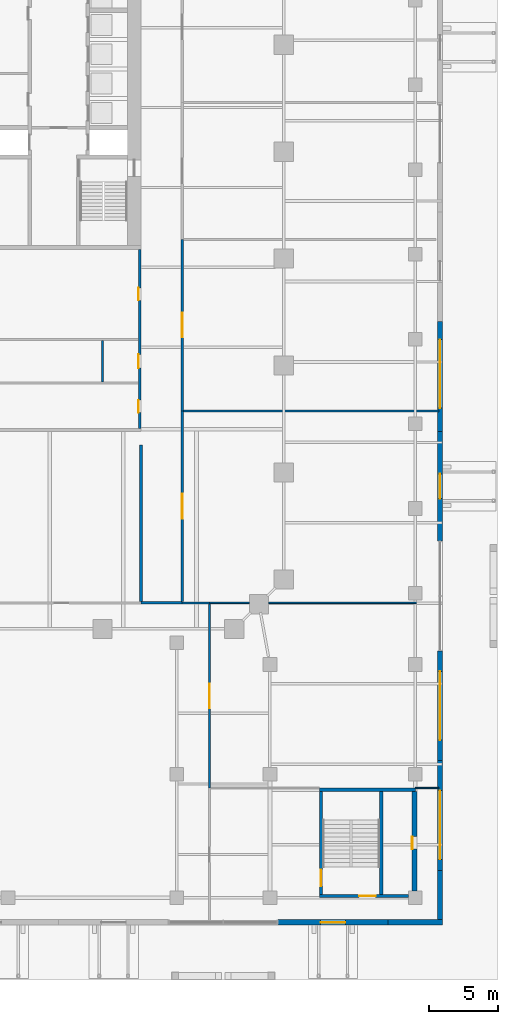
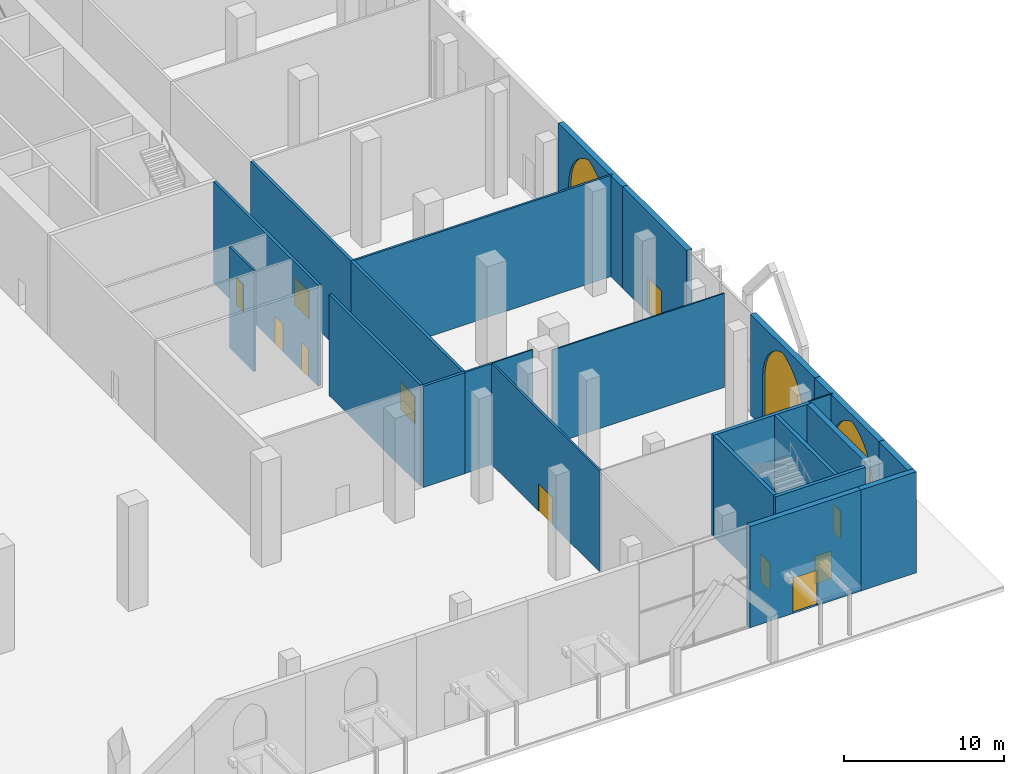
# One storey, part 30 of 38: 24 walls, 11 doors, 3 windows, 14 openings.
"""IFC4 building model written with IfcOpenShell, lengths in metres."""

from ifc_helpers import new_model, si_unit, direction, frame, frame_2d, origin, place, context, subcontext, project, spatial, polyline, rectangle, outline, extrude, material, layer, layer_set, type_object, element, fill, save


model = new_model("IFC4")

# Units and contexts
model_context = context("Model", 3, precision=1e-05, world=origin(), true_north=direction((0.0, 1.0)))
body_context = subcontext(model_context, "Body", "Model", "MODEL_VIEW")
ifc_project = project(units=[si_unit("LENGTHUNIT", "METRE"), si_unit("AREAUNIT", "SQUARE_METRE"), si_unit("VOLUMEUNIT", "CUBIC_METRE"), si_unit("PLANEANGLEUNIT", "RADIAN"), si_unit("MASSUNIT", "GRAM", prefix="KILO")], contexts=[model_context])

# Site, building, storey
site_placement = place(None, origin())
site = spatial("IfcSite", under=ifc_project, at=site_placement, CompositionType="ELEMENT")
building_placement = place(site_placement, origin())
building = spatial("IfcBuilding", under=site, at=building_placement, Name="Ogive Exchange Tower", CompositionType="ELEMENT")
storey_placement = place(building_placement, origin())
storey = spatial("IfcBuildingStorey", under=building, at=storey_placement, Name="L00", CompositionType="ELEMENT", Elevation=0.0)

# Walls
ifc_material_1 = material(Name="Gypsum board partition")
ifc_layer_1 = layer(ifc_material_1, 0.14990234375)
ifc_layer_set_1 = layer_set([ifc_layer_1], Name="Core room partition 150 gypsum")
wall_type_1 = type_object("IfcWallType", Name="Core room partition 150 gypsum", PredefinedType="PARTITIONING", material=ifc_layer_set_1)
wall_1_placement = place(storey_placement, frame((19.199951171875, -12.39990234375, 0.0), z_axis=(0.0, 0.0, 1.0), x_axis=(0.0, 1.0, 0.0)))
element("IfcWall", 1, at=wall_1_placement, inside=storey, type_object=wall_type_1, Name="E annex S wc partition 00", PredefinedType="PARTITIONING", context=body_context, shape_type="SweptSolid", body=[
    extrude(rectangle(XDim=3.02490234375, YDim=0.14990234375, at=frame_2d((1.512451171875, 0.0))), origin(), (0.0, 0.0, 1.0), 7.699951171875),
])
ifc_material_2 = material(Name="Fire partition EI 60 150")
ifc_layer_2 = layer(ifc_material_2, 0.14990234375)
ifc_layer_set_2 = layer_set([ifc_layer_2], Name="Fire partition EI 60 150")
wall_type_2 = type_object("IfcWallType", Name="Fire partition EI 60 150", PredefinedType="PARTITIONING", material=ifc_layer_set_2)
wall_2_placement = place(storey_placement, frame((25.0, -28.5, 0.0), z_axis=(0.0, 0.0, 1.0), x_axis=(1.0, 0.0, 0.0)))
element("IfcWall", 2, at=wall_2_placement, inside=storey, type_object=wall_type_2, Name="L00-PWL-012", PredefinedType="PARTITIONING", context=body_context, shape_type="SweptSolid", body=[
    extrude(rectangle(XDim=2.0, YDim=0.14990234375, at=frame_2d((1.0, 0.0))), origin(), (0.0, 0.0, 1.0), 7.699951171875),
])
wall_3_placement = place(storey_placement, frame((25.10009765625, -14.5, 0.0), z_axis=(0.0, 0.0, 1.0), x_axis=(1.0, 0.0, 0.0)))
element("IfcWall", 3, at=wall_3_placement, inside=storey, type_object=wall_type_2, Name="L00-PWL-015", PredefinedType="PARTITIONING", context=body_context, shape_type="SweptSolid", body=[
    extrude(rectangle(XDim=18.619873046875, YDim=0.14990234375, at=frame_2d((9.31005859375, 0.0))), origin(), (0.0, 0.0, 1.0), 7.699951171875),
])

# Wall, opening, door
wall_4_placement = place(storey_placement, frame((27.0, -42.0, 0.0), z_axis=(0.0, 0.0, 1.0), x_axis=(0.0, 1.0, 0.0)))
wall_4 = element("IfcWall", 4, at=wall_4_placement, inside=storey, type_object=wall_type_2, Name="L00-PWL-049", PredefinedType="PARTITIONING", context=body_context, shape_type="SweptSolid", body=[
    extrude(rectangle(XDim=13.425048828125, YDim=0.14990234375, at=frame_2d((6.71240234375, 0.0))), origin(), (0.0, 0.0, 1.0), 7.699951171875),
])
opening_1_placement = place(wall_4_placement, frame((5.8125, 0.0, 0.0)))
opening_1 = element("IfcOpeningElement", 5, at=opening_1_placement, cuts=wall_4, Name="Opening L00-I20", PredefinedType="OPENING", context=body_context, shape_type="SweptSolid", body=[
    extrude(rectangle(XDim=1.800048828125, YDim=2.10009765625, at=frame_2d((0.89990234375, 1.050048828125))), frame((0.0, 0.0849609375, 0.0), z_axis=(0.0, -1.0, 0.0), x_axis=(1.0, 0.0, 0.0)), (0.0, 0.0, 1.0), 0.169921875),
])
ifc_material_3 = material(Name="Fire door FD 30S 1800 x 2100")
door_type_1 = type_object("IfcDoorType", Name="Fire door FD 30S 1800 x 2100", OperationType="DOUBLE_DOOR_SINGLE_SWING", PredefinedType="DOOR", material=ifc_material_3)
door_1_placement = place(opening_1_placement, frame((1.800048828125, 0.0, 0.0), z_axis=(0.0, 0.0, 1.0), x_axis=(-1.0, 0.0, 0.0)))
door_1 = element("IfcDoor", 6, at=door_1_placement, inside=storey, type_object=door_type_1, Name="L00-IDR-020", ObjectType="DT4", OperationType="SINGLE_SWING_RIGHT", OverallHeight=2.10009765625, OverallWidth=1.800048828125, PredefinedType="DOOR", context=body_context, shape_type="SweptSolid", body=[
    extrude(rectangle(XDim=1.800048828125, YDim=2.10009765625, at=frame_2d((0.89990234375, 1.050048828125))), frame((0.0, 0.02490234375, 0.0), z_axis=(0.0, -1.0, 0.0), x_axis=(1.0, 0.0, 0.0)), (0.0, 0.0, 1.0), 0.050048828125),
])
fill(opening_1, door_1)

ifc_material_4 = material(Name="Precast concrete C40/50", Category="concrete")
ifc_layer_3 = layer(ifc_material_4, 0.39990234375)
ifc_layer_set_3 = layer_set([ifc_layer_3], Name="Limestone-faced wall 400")
wall_type_3 = type_object("IfcWallType", Name="Limestone-faced wall 400", PredefinedType="STANDARD", material=ifc_layer_set_3)
wall_5_placement = place(storey_placement, frame((32.0, -51.800048828125, 0.0), z_axis=(0.0, 0.0, 1.0), x_axis=(1.0, 0.0, 0.0)))
wall_5 = element("IfcWall", 7, at=wall_5_placement, inside=storey, type_object=wall_type_3, Name="Podium wall S11", PredefinedType="STANDARD", context=body_context, shape_type="SweptSolid", body=[
    extrude(rectangle(XDim=8.0, YDim=0.39990234375, at=frame_2d((4.0, 0.0))), origin(), (0.0, 0.0, 1.0), 7.699951171875),
])
opening_2_placement = place(wall_5_placement, frame((3.10009765625, 0.0, 0.0)))
opening_2 = element("IfcOpeningElement", 8, at=opening_2_placement, cuts=wall_5, Name="Opening L00-E08", PredefinedType="OPENING", context=body_context, shape_type="SweptSolid", body=[
    extrude(rectangle(XDim=1.800048828125, YDim=2.699951171875, at=frame_2d((0.89990234375, 1.35009765625))), frame((0.0, 0.2099609375, 0.0), z_axis=(0.0, -1.0, 0.0), x_axis=(1.0, 0.0, 0.0)), (0.0, 0.0, 1.0), 0.419921875),
])
ifc_material_5 = material(Name="Steel and glass", Category="steel")
door_type_2 = type_object("IfcDoorType", Name="Exit door 1800 x 2700", OperationType="DOUBLE_DOOR_SINGLE_SWING", PredefinedType="DOOR", material=ifc_material_5)
door_2_placement = place(opening_2_placement, frame((1.800048828125, 0.0, 0.0), z_axis=(0.0, 0.0, 1.0), x_axis=(-1.0, 0.0, 0.0)))
door_2 = element("IfcDoor", 9, at=door_2_placement, inside=storey, type_object=door_type_2, Name="Exit door X8", ObjectType="XD1", OperationType="DOUBLE_DOOR_SINGLE_SWING", OverallHeight=2.699951171875, OverallWidth=1.800048828125, PredefinedType="DOOR", context=body_context, shape_type="SweptSolid", body=[
    extrude(rectangle(XDim=1.800048828125, YDim=2.699951171875, at=frame_2d((0.89990234375, 1.35009765625))), frame((0.0, 0.02490234375, 0.0), z_axis=(0.0, -1.0, 0.0), x_axis=(1.0, 0.0, 0.0)), (0.0, 0.0, 1.0), 0.050048828125),
])
fill(opening_2, door_2)

# Walls
wall_6_placement = place(storey_placement, frame((40.0, -51.800048828125, 0.0), z_axis=(0.0, 0.0, 1.0), x_axis=(1.0, 0.0, 0.0)))
element("IfcWall", 10, at=wall_6_placement, inside=storey, type_object=wall_type_3, Name="Podium wall S12", PredefinedType="STANDARD", context=body_context, shape_type="SweptSolid", body=[
    extrude(rectangle(XDim=4.0, YDim=0.39990234375, at=frame_2d((2.0, 0.0))), origin(), (0.0, 0.0, 1.0), 7.699951171875),
])
wall_7_placement = place(storey_placement, frame((43.800048828125, -51.60009765625, 0.0), z_axis=(0.0, 0.0, 1.0), x_axis=(0.0, 1.0, 0.0)))
element("IfcWall", 11, at=wall_7_placement, inside=storey, type_object=wall_type_3, Name="Podium wall E1", PredefinedType="STANDARD", context=body_context, shape_type="SweptSolid", body=[
    extrude(rectangle(XDim=3.60009765625, YDim=0.39990234375, at=frame_2d((1.800048828125, 0.0))), origin(), (0.0, 0.0, 1.0), 7.699951171875),
])

# Wall, opening, window
wall_8_placement = place(storey_placement, frame((43.800048828125, -48.0, 0.0), z_axis=(0.0, 0.0, 1.0), x_axis=(0.0, 1.0, 0.0)))
wall_8 = element("IfcWall", 12, at=wall_8_placement, inside=storey, type_object=wall_type_3, Name="Podium wall E2", PredefinedType="STANDARD", context=body_context, shape_type="SweptSolid", body=[
    extrude(rectangle(XDim=8.0, YDim=0.39990234375, at=frame_2d((4.0, 0.0))), origin(), (0.0, 0.0, 1.0), 7.699951171875),
])
opening_3_placement = place(wall_8_placement, frame((0.800048828125, 0.0, 0.5)))
opening_3 = element("IfcOpeningElement", 13, at=opening_3_placement, cuts=wall_8, Name="Opening WA500", PredefinedType="OPENING", context=body_context, shape_type="SweptSolid", body=[
    extrude(outline(polyline([(0.0, 0.0), (5.0, 0.0), (5.0, 3.349853515625), (4.955322265625, 3.907470703125), (4.822021484375, 4.450927734375), (4.603759765625, 4.966064453125), (4.30615234375, 5.43994140625), (3.936767578125, 5.860107421875), (3.5048828125, 6.2158203125), (3.02197265625, 6.498291015625), (2.5, 6.699951171875), (1.97802734375, 6.498291015625), (1.4951171875, 6.2158203125), (1.063232421875, 5.860107421875), (0.69384765625, 5.43994140625), (0.396240234375, 4.966064453125), (0.177978515625, 4.450927734375), (0.044677734375, 3.907470703125), (0.0, 3.349853515625), (0.0, 0.0)])), frame((0.0, 0.2099609375, 0.0), z_axis=(0.0, -1.0, 0.0), x_axis=(1.0, 0.0, 0.0)), (0.0, 0.0, 1.0), 0.419921875),
])
ifc_material_6 = material(Name="Clear glass in bronze frame", Category="glass")
window_type = type_object("IfcWindowType", Name="Arcade lancet 5000 x 6700", PartitioningType="DOUBLE_PANEL_VERTICAL", PredefinedType="WINDOW", material=ifc_material_6)
window_1_placement = place(opening_3_placement, origin())
window_1 = element("IfcWindow", 14, at=window_1_placement, inside=storey, type_object=window_type, Name="Arcade lancet E2", OverallHeight=6.699951171875, OverallWidth=5.0, PartitioningType="DOUBLE_PANEL_VERTICAL", PredefinedType="WINDOW", context=body_context, shape_type="SweptSolid", body=[
    extrude(outline(polyline([(0.0, 0.0), (5.0, 0.0), (5.0, 3.349853515625), (4.955322265625, 3.907470703125), (4.822021484375, 4.450927734375), (4.603759765625, 4.966064453125), (4.30615234375, 5.43994140625), (3.936767578125, 5.860107421875), (3.5048828125, 6.2158203125), (3.02197265625, 6.498291015625), (2.5, 6.699951171875), (1.97802734375, 6.498291015625), (1.4951171875, 6.2158203125), (1.063232421875, 5.860107421875), (0.69384765625, 5.43994140625), (0.396240234375, 4.966064453125), (0.177978515625, 4.450927734375), (0.044677734375, 3.907470703125), (0.0, 3.349853515625), (0.0, 0.0)])), frame((0.0, 0.030029296875, 0.0), z_axis=(0.0, -1.0, 0.0), x_axis=(1.0, 0.0, 0.0)), (0.0, 0.0, 1.0), 0.06005859375),
])
fill(opening_3, window_1)

wall_9_placement = place(storey_placement, frame((43.800048828125, -40.0, 0.0), z_axis=(0.0, 0.0, 1.0), x_axis=(0.0, 1.0, 0.0)))
wall_9 = element("IfcWall", 15, at=wall_9_placement, inside=storey, type_object=wall_type_3, Name="Podium wall E3", PredefinedType="STANDARD", context=body_context, shape_type="SweptSolid", body=[
    extrude(rectangle(XDim=8.0, YDim=0.39990234375, at=frame_2d((4.0, 0.0))), origin(), (0.0, 0.0, 1.0), 7.699951171875),
])
opening_4_placement = place(wall_9_placement, frame((1.5, 0.0, 0.5)))
opening_4 = element("IfcOpeningElement", 16, at=opening_4_placement, cuts=wall_9, Name="Opening WA500", PredefinedType="OPENING", context=body_context, shape_type="SweptSolid", body=[
    extrude(outline(polyline([(0.0, 0.0), (5.0, 0.0), (5.0, 3.349853515625), (4.955322265625, 3.907470703125), (4.822021484375, 4.450927734375), (4.603759765625, 4.966064453125), (4.30615234375, 5.43994140625), (3.936767578125, 5.860107421875), (3.5048828125, 6.2158203125), (3.02197265625, 6.498291015625), (2.5, 6.699951171875), (1.97802734375, 6.498291015625), (1.4951171875, 6.2158203125), (1.063232421875, 5.860107421875), (0.69384765625, 5.43994140625), (0.396240234375, 4.966064453125), (0.177978515625, 4.450927734375), (0.044677734375, 3.907470703125), (0.0, 3.349853515625), (0.0, 0.0)])), frame((0.0, 0.2099609375, 0.0), z_axis=(0.0, -1.0, 0.0), x_axis=(1.0, 0.0, 0.0)), (0.0, 0.0, 1.0), 0.419921875),
])
window_2_placement = place(opening_4_placement, origin())
window_2 = element("IfcWindow", 17, at=window_2_placement, inside=storey, type_object=window_type, Name="Arcade lancet E3", OverallHeight=6.699951171875, OverallWidth=5.0, PartitioningType="DOUBLE_PANEL_VERTICAL", PredefinedType="WINDOW", context=body_context, shape_type="SweptSolid", body=[
    extrude(outline(polyline([(0.0, 0.0), (5.0, 0.0), (5.0, 3.349853515625), (4.955322265625, 3.907470703125), (4.822021484375, 4.450927734375), (4.603759765625, 4.966064453125), (4.30615234375, 5.43994140625), (3.936767578125, 5.860107421875), (3.5048828125, 6.2158203125), (3.02197265625, 6.498291015625), (2.5, 6.699951171875), (1.97802734375, 6.498291015625), (1.4951171875, 6.2158203125), (1.063232421875, 5.860107421875), (0.69384765625, 5.43994140625), (0.396240234375, 4.966064453125), (0.177978515625, 4.450927734375), (0.044677734375, 3.907470703125), (0.0, 3.349853515625), (0.0, 0.0)])), frame((0.0, 0.030029296875, 0.0), z_axis=(0.0, -1.0, 0.0), x_axis=(1.0, 0.0, 0.0)), (0.0, 0.0, 1.0), 0.06005859375),
])
fill(opening_4, window_2)

# Wall, opening, door
wall_10_placement = place(storey_placement, frame((43.800048828125, -24.0, 0.0), z_axis=(0.0, 0.0, 1.0), x_axis=(0.0, 1.0, 0.0)))
wall_10 = element("IfcWall", 18, at=wall_10_placement, inside=storey, type_object=wall_type_3, Name="Podium wall E5", PredefinedType="STANDARD", context=body_context, shape_type="SweptSolid", body=[
    extrude(rectangle(XDim=8.0, YDim=0.39990234375, at=frame_2d((4.0, 0.0))), origin(), (0.0, 0.0, 1.0), 7.699951171875),
])
opening_5_placement = place(wall_10_placement, frame((3.10009765625, 0.0, 0.0)))
opening_5 = element("IfcOpeningElement", 19, at=opening_5_placement, cuts=wall_10, Name="Opening L00-E09", PredefinedType="OPENING", context=body_context, shape_type="SweptSolid", body=[
    extrude(rectangle(XDim=1.800048828125, YDim=2.699951171875, at=frame_2d((0.89990234375, 1.35009765625))), frame((0.0, 0.2099609375, 0.0), z_axis=(0.0, -1.0, 0.0), x_axis=(1.0, 0.0, 0.0)), (0.0, 0.0, 1.0), 0.419921875),
])
door_3_placement = place(opening_5_placement, frame((1.800048828125, 0.0, 0.0), z_axis=(0.0, 0.0, 1.0), x_axis=(-1.0, 0.0, 0.0)))
door_3 = element("IfcDoor", 20, at=door_3_placement, inside=storey, type_object=door_type_2, Name="Exit door X9", ObjectType="XD1", OperationType="DOUBLE_DOOR_SINGLE_SWING", OverallHeight=2.699951171875, OverallWidth=1.800048828125, PredefinedType="DOOR", context=body_context, shape_type="SweptSolid", body=[
    extrude(rectangle(XDim=1.800048828125, YDim=2.699951171875, at=frame_2d((0.89990234375, 1.35009765625))), frame((0.0, 0.02490234375, 0.0), z_axis=(0.0, -1.0, 0.0), x_axis=(1.0, 0.0, 0.0)), (0.0, 0.0, 1.0), 0.050048828125),
])
fill(opening_5, door_3)

# Wall, opening, window
wall_11_placement = place(storey_placement, frame((43.800048828125, -16.0, 0.0), z_axis=(0.0, 0.0, 1.0), x_axis=(0.0, 1.0, 0.0)))
wall_11 = element("IfcWall", 21, at=wall_11_placement, inside=storey, type_object=wall_type_3, Name="Podium wall E6", PredefinedType="STANDARD", context=body_context, shape_type="SweptSolid", body=[
    extrude(rectangle(XDim=8.0, YDim=0.39990234375, at=frame_2d((4.0, 0.0))), origin(), (0.0, 0.0, 1.0), 7.699951171875),
])
opening_6_placement = place(wall_11_placement, frame((1.699951171875, 0.0, 0.5)))
opening_6 = element("IfcOpeningElement", 22, at=opening_6_placement, cuts=wall_11, Name="Opening WA500", PredefinedType="OPENING", context=body_context, shape_type="SweptSolid", body=[
    extrude(outline(polyline([(0.0, 0.0), (5.0, 0.0), (5.0, 3.349853515625), (4.955322265625, 3.907470703125), (4.822021484375, 4.450927734375), (4.603759765625, 4.966064453125), (4.30615234375, 5.43994140625), (3.936767578125, 5.860107421875), (3.5048828125, 6.2158203125), (3.02197265625, 6.498291015625), (2.5, 6.699951171875), (1.97802734375, 6.498291015625), (1.4951171875, 6.2158203125), (1.063232421875, 5.860107421875), (0.69384765625, 5.43994140625), (0.396240234375, 4.966064453125), (0.177978515625, 4.450927734375), (0.044677734375, 3.907470703125), (0.0, 3.349853515625), (0.0, 0.0)])), frame((0.0, 0.2099609375, 0.0), z_axis=(0.0, -1.0, 0.0), x_axis=(1.0, 0.0, 0.0)), (0.0, 0.0, 1.0), 0.419921875),
])
window_3_placement = place(opening_6_placement, origin())
window_3 = element("IfcWindow", 23, at=window_3_placement, inside=storey, type_object=window_type, Name="Arcade lancet E6", OverallHeight=6.699951171875, OverallWidth=5.0, PartitioningType="DOUBLE_PANEL_VERTICAL", PredefinedType="WINDOW", context=body_context, shape_type="SweptSolid", body=[
    extrude(outline(polyline([(0.0, 0.0), (5.0, 0.0), (5.0, 3.349853515625), (4.955322265625, 3.907470703125), (4.822021484375, 4.450927734375), (4.603759765625, 4.966064453125), (4.30615234375, 5.43994140625), (3.936767578125, 5.860107421875), (3.5048828125, 6.2158203125), (3.02197265625, 6.498291015625), (2.5, 6.699951171875), (1.97802734375, 6.498291015625), (1.4951171875, 6.2158203125), (1.063232421875, 5.860107421875), (0.69384765625, 5.43994140625), (0.396240234375, 4.966064453125), (0.177978515625, 4.450927734375), (0.044677734375, 3.907470703125), (0.0, 3.349853515625), (0.0, 0.0)])), frame((0.0, 0.030029296875, 0.0), z_axis=(0.0, -1.0, 0.0), x_axis=(1.0, 0.0, 0.0)), (0.0, 0.0, 1.0), 0.06005859375),
])
fill(opening_6, window_3)

# Walls
ifc_material_7 = material(Name="Partition 100 gypsum")
ifc_layer_4 = layer(ifc_material_7, 0.10009765625)
ifc_layer_set_4 = layer_set([ifc_layer_4], Name="Partition 100 gypsum")
wall_type_4 = type_object("IfcWallType", Name="Partition 100 gypsum", PredefinedType="PARTITIONING", material=ifc_layer_set_4)
wall_12_placement = place(storey_placement, frame((42.0, -42.0, 0.0), z_axis=(0.0, 0.0, 1.0), x_axis=(1.0, 0.0, 0.0)))
element("IfcWall", 24, at=wall_12_placement, inside=storey, type_object=wall_type_4, Name="L00-PWL-004", PredefinedType="PARTITIONING", context=body_context, shape_type="SweptSolid", body=[
    extrude(rectangle(XDim=1.719970703125, YDim=0.10009765625, at=frame_2d((0.85986328125, 0.0))), origin(), (0.0, 0.0, 1.0), 7.699951171875),
])
wall_13_placement = place(storey_placement, frame((27.0, -28.5, 0.0), z_axis=(0.0, 0.0, 1.0), x_axis=(1.0, 0.0, 0.0)))
element("IfcWall", 25, at=wall_13_placement, inside=storey, type_object=wall_type_4, Name="L00-PWL-013", PredefinedType="PARTITIONING", context=body_context, shape_type="SweptSolid", body=[
    extrude(rectangle(XDim=2.89990234375, YDim=0.10009765625, at=frame_2d((1.449951171875, 0.0))), origin(), (0.0, 0.0, 1.0), 7.699951171875),
])
wall_14_placement = place(storey_placement, frame((31.300048828125, -28.5, 0.0), z_axis=(0.0, 0.0, 1.0), x_axis=(1.0, 0.0, 0.0)))
element("IfcWall", 26, at=wall_14_placement, inside=storey, type_object=wall_type_4, Name="L00-PWL-014", PredefinedType="PARTITIONING", context=body_context, shape_type="SweptSolid", body=[
    extrude(rectangle(XDim=12.419921875, YDim=0.10009765625, at=frame_2d((6.2099609375, 0.0))), origin(), (0.0, 0.0, 1.0), 7.1640625),
])

# Wall, openings, doors
ifc_material_8 = material(Name="Concrete C70/85", Category="concrete")
ifc_layer_5 = layer(ifc_material_8, 0.199951171875)
ifc_layer_set_5 = layer_set([ifc_layer_5], Name="RC core wall 200 C70/85")
wall_type_5 = type_object("IfcWallType", Name="RC core wall 200 C70/85", PredefinedType="SHEAR", material=ifc_layer_set_5)
wall_15_placement = place(storey_placement, frame((21.89990234375, -15.800048828125, 0.0), z_axis=(0.0, 0.0, 1.0), x_axis=(0.0, 1.0, 0.0)))
wall_15 = element("IfcWall", 27, at=wall_15_placement, inside=storey, type_object=wall_type_5, Name="E annex S outer wall", PredefinedType="SHEAR", context=body_context, shape_type="SweptSolid", body=[
    extrude(rectangle(XDim=13.050048828125, YDim=0.199951171875, at=frame_2d((6.52490234375, 0.0))), origin(), (0.0, 0.0, 1.0), 7.699951171875),
])
opening_7_placement = place(wall_15_placement, frame((1.175048828125, 0.0, 0.0)))
opening_7 = element("IfcOpeningElement", 28, at=opening_7_placement, cuts=wall_15, Name="Opening L00-C40", PredefinedType="OPENING", context=body_context, shape_type="SweptSolid", body=[
    extrude(rectangle(XDim=0.89990234375, YDim=2.10009765625, at=frame_2d((0.449951171875, 1.050048828125))), frame((0.0, 0.10986328125, 0.0), z_axis=(0.0, -1.0, 0.0), x_axis=(1.0, 0.0, 0.0)), (0.0, 0.0, 1.0), 0.219970703125),
])
opening_8_placement = place(wall_15_placement, frame((4.41259765625, 0.0, 0.0)))
opening_8 = element("IfcOpeningElement", 29, at=opening_8_placement, cuts=wall_15, Name="Opening L00-C41", PredefinedType="OPENING", context=body_context, shape_type="SweptSolid", body=[
    extrude(rectangle(XDim=1.0, YDim=2.10009765625, at=frame_2d((0.5, 1.050048828125))), frame((0.0, 0.10986328125, 0.0), z_axis=(0.0, -1.0, 0.0), x_axis=(1.0, 0.0, 0.0)), (0.0, 0.0, 1.0), 0.219970703125),
])
opening_9_placement = place(wall_15_placement, frame((9.362548828125, 0.0, 0.0)))
opening_9 = element("IfcOpeningElement", 30, at=opening_9_placement, cuts=wall_15, Name="Opening L00-C43", PredefinedType="OPENING", context=body_context, shape_type="SweptSolid", body=[
    extrude(rectangle(XDim=0.89990234375, YDim=2.10009765625, at=frame_2d((0.449951171875, 1.050048828125))), frame((0.0, 0.10986328125, 0.0), z_axis=(0.0, -1.0, 0.0), x_axis=(1.0, 0.0, 0.0)), (0.0, 0.0, 1.0), 0.219970703125),
])
ifc_material_9 = material(Name="Timber fire door", Category="wood")
door_type_3 = type_object("IfcDoorType", Name="Accessible WC door FD30S 1000 x 2100", OperationType="NOTDEFINED", PredefinedType="DOOR", material=ifc_material_9)
door_4_placement = place(opening_8_placement, origin())
door_4 = element("IfcDoor", 31, at=door_4_placement, inside=storey, type_object=door_type_3, Name="Accessible WC door", ObjectType="CD7", OperationType="SINGLE_SWING_LEFT", OverallHeight=2.10009765625, OverallWidth=1.0, PredefinedType="DOOR", context=body_context, shape_type="SweptSolid", body=[
    extrude(rectangle(XDim=1.0, YDim=2.10009765625, at=frame_2d((0.5, 1.050048828125))), frame((0.0, 0.10009765625, 0.0), z_axis=(0.0, -1.0, 0.0), x_axis=(1.0, 0.0, 0.0)), (0.0, 0.0, 1.0), 0.050048828125),
])
fill(opening_8, door_4)
ifc_material_10 = material(Name="Steel fire door", Category="steel")
door_type_4 = type_object("IfcDoorType", Name="Riser door FD60 900 x 2100", OperationType="NOTDEFINED", PredefinedType="DOOR", material=ifc_material_10)
door_5_placement = place(opening_7_placement, origin())
door_5 = element("IfcDoor", 32, at=door_5_placement, inside=storey, type_object=door_type_4, Name="Riser door", ObjectType="CD2", OperationType="SINGLE_SWING_LEFT", OverallHeight=2.10009765625, OverallWidth=0.89990234375, PredefinedType="DOOR", context=body_context, shape_type="SweptSolid", body=[
    extrude(rectangle(XDim=0.89990234375, YDim=2.10009765625, at=frame_2d((0.449951171875, 1.050048828125))), frame((0.0, 0.10009765625, 0.0), z_axis=(0.0, -1.0, 0.0), x_axis=(1.0, 0.0, 0.0)), (0.0, 0.0, 1.0), 0.050048828125),
])
fill(opening_7, door_5)
door_6_placement = place(opening_9_placement, origin())
door_6 = element("IfcDoor", 33, at=door_6_placement, inside=storey, type_object=door_type_4, Name="Riser door", ObjectType="CD2", OperationType="SINGLE_SWING_LEFT", OverallHeight=2.10009765625, OverallWidth=0.89990234375, PredefinedType="DOOR", context=body_context, shape_type="SweptSolid", body=[
    extrude(rectangle(XDim=0.89990234375, YDim=2.10009765625, at=frame_2d((0.449951171875, 1.050048828125))), frame((0.0, 0.10009765625, 0.0), z_axis=(0.0, -1.0, 0.0), x_axis=(1.0, 0.0, 0.0)), (0.0, 0.0, 1.0), 0.050048828125),
])
fill(opening_9, door_6)

# Wall, opening, door
ifc_layer_6 = layer(ifc_material_8, 0.25)
ifc_layer_set_6 = layer_set([ifc_layer_6], Name="RC core wall 250 C70/85")
wall_type_6 = type_object("IfcWallType", Name="RC core wall 250 C70/85", PredefinedType="SHEAR", material=ifc_layer_set_6)
wall_16_placement = place(storey_placement, frame((35.0, -49.875, 0.0), z_axis=(0.0, 0.0, 1.0), x_axis=(1.0, 0.0, 0.0)))
wall_16 = element("IfcWall", 34, at=wall_16_placement, inside=storey, type_object=wall_type_6, Name="PS2 south wall", PredefinedType="SHEAR", context=body_context, shape_type="SweptSolid", body=[
    extrude(rectangle(XDim=6.5, YDim=0.25, at=frame_2d((3.25, 0.0))), origin(), (0.0, 0.0, 1.0), 7.699951171875),
])
opening_10_placement = place(wall_16_placement, frame((2.89990234375, 0.0, 0.0)))
opening_10 = element("IfcOpeningElement", 35, at=opening_10_placement, cuts=wall_16, Name="Opening L00-C49", PredefinedType="OPENING", context=body_context, shape_type="SweptSolid", body=[
    extrude(rectangle(XDim=1.199951171875, YDim=2.10009765625, at=frame_2d((0.60009765625, 1.050048828125))), frame((0.0, 0.135009765625, 0.0), z_axis=(0.0, -1.0, 0.0), x_axis=(1.0, 0.0, 0.0)), (0.0, 0.0, 1.0), 0.27001953125),
])
door_type_5 = type_object("IfcDoorType", Name="Stair door FD90 1200 x 2100", OperationType="NOTDEFINED", PredefinedType="DOOR", material=ifc_material_10)
door_7_placement = place(opening_10_placement, origin())
door_7 = element("IfcDoor", 36, at=door_7_placement, inside=storey, type_object=door_type_5, Name="Stair door", ObjectType="CD5", OperationType="SINGLE_SWING_LEFT", OverallHeight=2.10009765625, OverallWidth=1.199951171875, PredefinedType="DOOR", context=body_context, shape_type="SweptSolid", body=[
    extrude(rectangle(XDim=1.199951171875, YDim=2.10009765625, at=frame_2d((0.60009765625, 1.050048828125))), frame((0.0, 0.02490234375, 0.0), z_axis=(0.0, -1.0, 0.0), x_axis=(1.0, 0.0, 0.0)), (0.0, 0.0, 1.0), 0.050048828125),
])
fill(opening_10, door_7)

# Wall
wall_17_placement = place(storey_placement, frame((35.0, -42.125, 0.0), z_axis=(0.0, 0.0, 1.0), x_axis=(1.0, 0.0, 0.0)))
element("IfcWall", 37, at=wall_17_placement, inside=storey, type_object=wall_type_6, Name="PS2 north wall", PredefinedType="SHEAR", context=body_context, shape_type="SweptSolid", body=[
    extrude(rectangle(XDim=7.0, YDim=0.25, at=frame_2d((3.5, 0.0))), origin(), (0.0, 0.0, 1.0), 7.699951171875),
])

# Wall, opening, door
wall_18_placement = place(storey_placement, frame((35.125, -49.75, 0.0), z_axis=(0.0, 0.0, 1.0), x_axis=(0.0, 1.0, 0.0)))
wall_18 = element("IfcWall", 38, at=wall_18_placement, inside=storey, type_object=wall_type_6, Name="PS2 west wall", PredefinedType="SHEAR", context=body_context, shape_type="SweptSolid", body=[
    extrude(rectangle(XDim=7.5, YDim=0.25, at=frame_2d((3.75, 0.0))), origin(), (0.0, 0.0, 1.0), 7.699951171875),
])
opening_11_placement = place(wall_18_placement, frame((0.60009765625, 0.0, 0.0)))
opening_11 = element("IfcOpeningElement", 39, at=opening_11_placement, cuts=wall_18, Name="Opening L00-C47", PredefinedType="OPENING", context=body_context, shape_type="SweptSolid", body=[
    extrude(rectangle(XDim=1.199951171875, YDim=2.10009765625, at=frame_2d((0.60009765625, 1.050048828125))), frame((0.0, 0.135009765625, 0.0), z_axis=(0.0, -1.0, 0.0), x_axis=(1.0, 0.0, 0.0)), (0.0, 0.0, 1.0), 0.27001953125),
])
door_8_placement = place(opening_11_placement, origin())
door_8 = element("IfcDoor", 40, at=door_8_placement, inside=storey, type_object=door_type_5, Name="Stair door", ObjectType="CD5", OperationType="SINGLE_SWING_RIGHT", OverallHeight=2.10009765625, OverallWidth=1.199951171875, PredefinedType="DOOR", context=body_context, shape_type="SweptSolid", body=[
    extrude(rectangle(XDim=1.199951171875, YDim=2.10009765625, at=frame_2d((0.60009765625, 1.050048828125))), frame((0.0, 0.02490234375, 0.0), z_axis=(0.0, -1.0, 0.0), x_axis=(1.0, 0.0, 0.0)), (0.0, 0.0, 1.0), 0.050048828125),
])
fill(opening_11, door_8)

# Wall
wall_19_placement = place(storey_placement, frame((39.52490234375, -49.75, 0.0), z_axis=(0.0, 0.0, 1.0), x_axis=(0.0, 1.0, 0.0)))
element("IfcWall", 41, at=wall_19_placement, inside=storey, type_object=wall_type_6, Name="PS2 partition wall", PredefinedType="SHEAR", context=body_context, shape_type="SweptSolid", body=[
    extrude(rectangle(XDim=7.5, YDim=0.25, at=frame_2d((3.75, 0.0))), origin(), (0.0, 0.0, 1.0), 7.699951171875),
])

# Wall, opening, door
ifc_layer_7 = layer(ifc_material_8, 0.383544921875)
ifc_layer_set_7 = layer_set([ifc_layer_7], Name="RC core wall 384 C70/85")
wall_type_7 = type_object("IfcWallType", Name="RC core wall 384 C70/85", PredefinedType="SHEAR", material=ifc_layer_set_7)
wall_20_placement = place(storey_placement, frame((41.941650390625, -49.5, 0.0), z_axis=(0.0, 0.0, 1.0), x_axis=(0.0, 1.0, 0.0)))
wall_20 = element("IfcWall", 42, at=wall_20_placement, inside=storey, type_object=wall_type_7, Name="PS2 east wall", PredefinedType="SHEAR", context=body_context, shape_type="SweptSolid", body=[
    extrude(rectangle(XDim=7.25, YDim=0.383544921875, at=frame_2d((3.625, 0.0))), origin(), (0.0, 0.0, 1.0), 7.699951171875),
])
opening_12_placement = place(wall_20_placement, frame((3.050048828125, 0.0, 0.0)))
opening_12 = element("IfcOpeningElement", 43, at=opening_12_placement, cuts=wall_20, Name="Opening L00-C48", PredefinedType="OPENING", context=body_context, shape_type="SweptSolid", body=[
    extrude(rectangle(XDim=0.89990234375, YDim=2.10009765625, at=frame_2d((0.449951171875, 1.050048828125))), frame((0.0, 0.20166015625, 0.0), z_axis=(0.0, -1.0, 0.0), x_axis=(1.0, 0.0, 0.0)), (0.0, 0.0, 1.0), 0.403564453125),
])
door_9_placement = place(opening_12_placement, frame((0.89990234375, 0.33349609375, 0.0), z_axis=(0.0, 0.0, 1.0), x_axis=(-1.0, 0.0, 0.0)))
door_9 = element("IfcDoor", 44, at=door_9_placement, inside=storey, type_object=door_type_4, Name="Riser door", ObjectType="CD2", OperationType="SINGLE_SWING_RIGHT", OverallHeight=2.10009765625, OverallWidth=0.89990234375, PredefinedType="DOOR", context=body_context, shape_type="SweptSolid", body=[
    extrude(rectangle(XDim=0.89990234375, YDim=2.10009765625, at=frame_2d((0.449951171875, 1.050048828125))), frame((0.0, 0.19189453125, 0.0), z_axis=(0.0, -1.0, 0.0), x_axis=(1.0, 0.0, 0.0)), (0.0, 0.0, 1.0), 0.050048828125),
])
fill(opening_12, door_9)

# Walls
ifc_material_11 = material(Name="Shaft enclosure EI 120 200")
ifc_layer_8 = layer(ifc_material_11, 0.199951171875)
ifc_layer_set_8 = layer_set([ifc_layer_8], Name="Shaft enclosure EI 120 200")
wall_type_8 = type_object("IfcWallType", Name="Shaft enclosure EI 120 200", PredefinedType="PARTITIONING", material=ifc_layer_set_8)
wall_21_placement = place(storey_placement, frame((22.0, -28.5, 0.0), z_axis=(0.0, 0.0, 1.0), x_axis=(1.0, 0.0, 0.0)))
element("IfcWall", 45, at=wall_21_placement, inside=storey, type_object=wall_type_8, Name="L00-PWL-011", PredefinedType="PARTITIONING", context=body_context, shape_type="SweptSolid", body=[
    extrude(rectangle(XDim=3.0, YDim=0.199951171875, at=frame_2d((1.5, 0.0))), origin(), (0.0, 0.0, 1.0), 7.699951171875),
])
wall_22_placement = place(storey_placement, frame((22.0, -28.39990234375, 0.0), z_axis=(0.0, 0.0, 1.0), x_axis=(0.0, 1.0, 0.0)))
element("IfcWall", 46, at=wall_22_placement, inside=storey, type_object=wall_type_8, Name="L00-PWL-041", PredefinedType="PARTITIONING", context=body_context, shape_type="SweptSolid", body=[
    extrude(rectangle(XDim=11.39990234375, YDim=0.199951171875, at=frame_2d((5.699951171875, 0.0))), origin(), (0.0, 0.0, 1.0), 7.699951171875),
])

# Wall, opening, door
wall_23_placement = place(storey_placement, frame((25.0, -28.39990234375, 0.0), z_axis=(0.0, 0.0, 1.0), x_axis=(0.0, 1.0, 0.0)))
wall_23 = element("IfcWall", 47, at=wall_23_placement, inside=storey, type_object=wall_type_8, Name="L00-PWL-042", PredefinedType="PARTITIONING", context=body_context, shape_type="SweptSolid", body=[
    extrude(rectangle(XDim=13.89990234375, YDim=0.199951171875, at=frame_2d((6.949951171875, 0.0))), origin(), (0.0, 0.0, 1.0), 7.699951171875),
])
opening_13_placement = place(wall_23_placement, frame((6.050048828125, 0.0, 0.0)))
opening_13 = element("IfcOpeningElement", 48, at=opening_13_placement, cuts=wall_23, Name="Opening L00-I12", PredefinedType="OPENING", context=body_context, shape_type="SweptSolid", body=[
    extrude(rectangle(XDim=1.800048828125, YDim=2.10009765625, at=frame_2d((0.89990234375, 1.050048828125))), frame((0.0, 0.10986328125, 0.0), z_axis=(0.0, -1.0, 0.0), x_axis=(1.0, 0.0, 0.0)), (0.0, 0.0, 1.0), 0.219970703125),
])
ifc_material_12 = material(Name="Stair door FD 90 1800 x 2100")
door_type_6 = type_object("IfcDoorType", Name="Stair door FD 90 1800 x 2100", OperationType="DOUBLE_DOOR_SINGLE_SWING", PredefinedType="DOOR", material=ifc_material_12)
door_10_placement = place(opening_13_placement, origin())
door_10 = element("IfcDoor", 49, at=door_10_placement, inside=storey, type_object=door_type_6, Name="L00-IDR-012", ObjectType="DT8", OperationType="SINGLE_SWING_RIGHT", OverallHeight=2.10009765625, OverallWidth=1.800048828125, PredefinedType="DOOR", context=body_context, shape_type="SweptSolid", body=[
    extrude(rectangle(XDim=1.800048828125, YDim=2.10009765625, at=frame_2d((0.89990234375, 1.050048828125))), frame((0.0, 0.02490234375, 0.0), z_axis=(0.0, -1.0, 0.0), x_axis=(1.0, 0.0, 0.0)), (0.0, 0.0, 1.0), 0.050048828125),
])
fill(opening_13, door_10)

wall_24_placement = place(storey_placement, frame((25.0, -14.5, 0.0), z_axis=(0.0, 0.0, 1.0), x_axis=(0.0, 1.0, 0.0)))
wall_24 = element("IfcWall", 50, at=wall_24_placement, inside=storey, type_object=wall_type_8, Name="L00-PWL-043", PredefinedType="PARTITIONING", context=body_context, shape_type="SweptSolid", body=[
    extrude(rectangle(XDim=12.5, YDim=0.199951171875, at=frame_2d((6.25, 0.0))), origin(), (0.0, 0.0, 1.0), 7.699951171875),
])
opening_14_placement = place(wall_24_placement, frame((5.35009765625, 0.0, 0.0)))
opening_14 = element("IfcOpeningElement", 51, at=opening_14_placement, cuts=wall_24, Name="Opening L00-I13", PredefinedType="OPENING", context=body_context, shape_type="SweptSolid", body=[
    extrude(rectangle(XDim=1.800048828125, YDim=2.10009765625, at=frame_2d((0.89990234375, 1.050048828125))), frame((0.0, 0.10986328125, 0.0), z_axis=(0.0, -1.0, 0.0), x_axis=(1.0, 0.0, 0.0)), (0.0, 0.0, 1.0), 0.219970703125),
])
door_11_placement = place(opening_14_placement, frame((1.800048828125, 0.0, 0.0), z_axis=(0.0, 0.0, 1.0), x_axis=(-1.0, 0.0, 0.0)))
door_11 = element("IfcDoor", 52, at=door_11_placement, inside=storey, type_object=door_type_6, Name="L00-IDR-013", ObjectType="DT8", OperationType="SINGLE_SWING_LEFT", OverallHeight=2.10009765625, OverallWidth=1.800048828125, PredefinedType="DOOR", context=body_context, shape_type="SweptSolid", body=[
    extrude(rectangle(XDim=1.800048828125, YDim=2.10009765625, at=frame_2d((0.89990234375, 1.050048828125))), frame((0.0, 0.02490234375, 0.0), z_axis=(0.0, -1.0, 0.0), x_axis=(1.0, 0.0, 0.0)), (0.0, 0.0, 1.0), 0.050048828125),
])
fill(opening_14, door_11)

save(model, "model.ifc")
